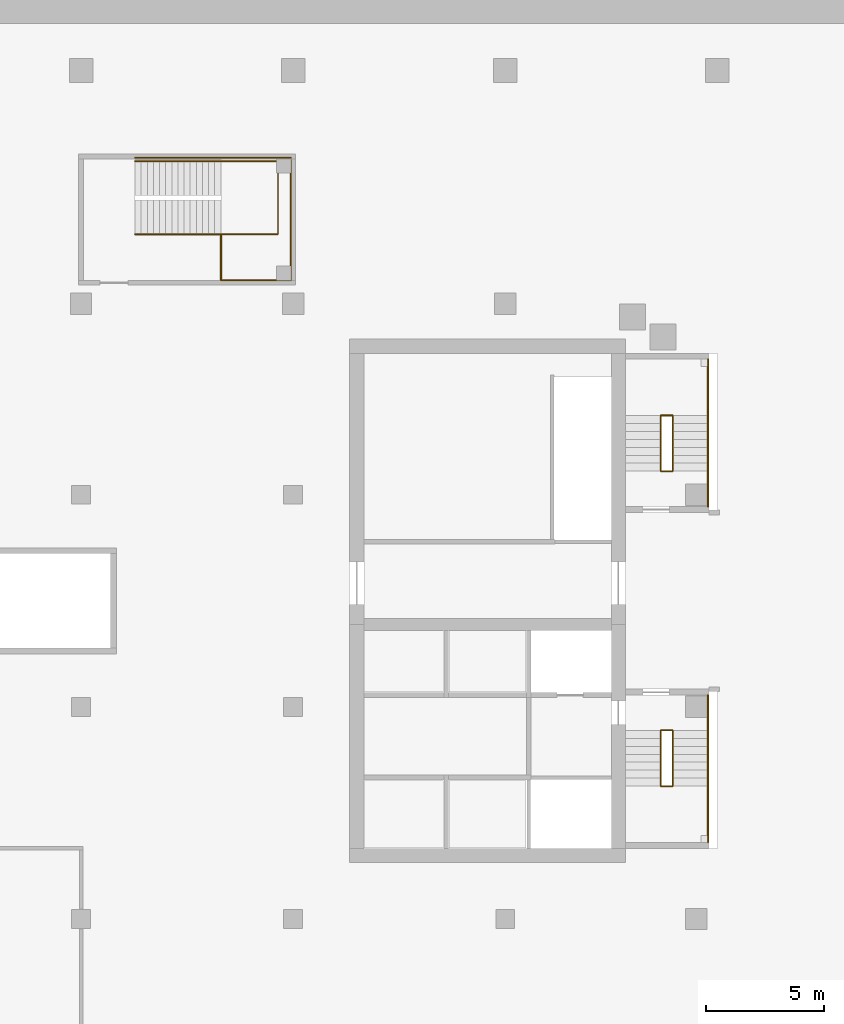
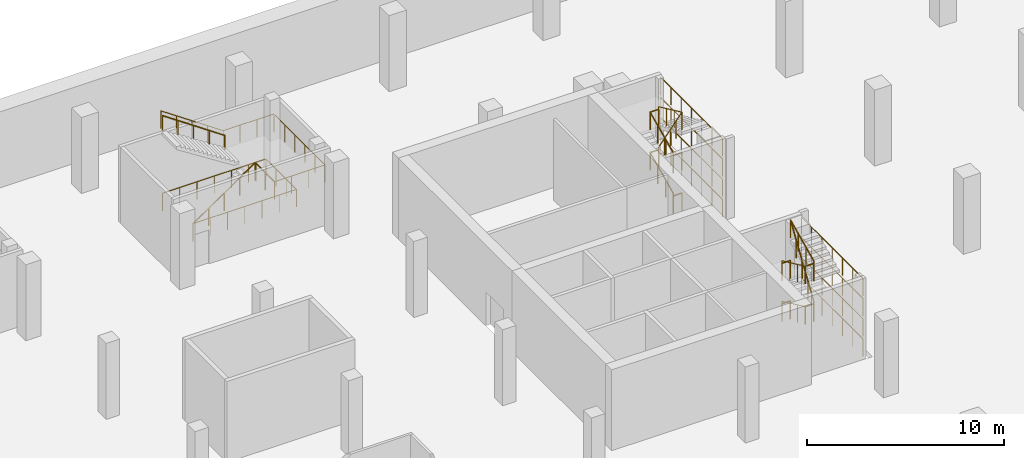
# One storey, part 15 of 19: 30 railings.
"""IFC4 building model written with IfcOpenShell, lengths in metres."""

from ifc_helpers import new_model, si_unit, direction, frame, origin, origin_2d, place, context, subcontext, project, spatial, circle, extrude, material, type_object, element, save


model = new_model("IFC4")

# Units and contexts
model_context = context("Model", 3, precision=1e-05, world=origin(), true_north=direction((0.0, 1.0)))
body_context = subcontext(model_context, "Body", "Model", "MODEL_VIEW")
ifc_project = project(units=[si_unit("LENGTHUNIT", "METRE"), si_unit("AREAUNIT", "SQUARE_METRE"), si_unit("VOLUMEUNIT", "CUBIC_METRE"), si_unit("PLANEANGLEUNIT", "RADIAN"), si_unit("MASSUNIT", "GRAM", prefix="KILO")], contexts=[model_context])

# Site, building, storey
site_placement = place(None, origin())
site = spatial("IfcSite", under=ifc_project, at=site_placement, CompositionType="ELEMENT")
building_placement = place(site_placement, origin())
building = spatial("IfcBuilding", under=site, at=building_placement, Name="Cinnabar Reach Civic Tower", CompositionType="ELEMENT")
storey_placement = place(building_placement, frame((0.0, 0.0, -5.0)))
storey = spatial("IfcBuildingStorey", under=building, at=storey_placement, Name="B1", CompositionType="ELEMENT", Elevation=-5.0)

# Railings
ifc_material_1 = material(Name="Stainless steel and glass", Category="steel")
railing_type_1 = type_object("IfcRailingType", Name="Podium guard 1100", PredefinedType="GUARDRAIL", material=ifc_material_1)
railing_1_placement = place(storey_placement, frame((-51.7, 47.05, 0.0)))
element("IfcRailing", 1, at=railing_1_placement, inside=storey, type_object=railing_type_1, Name="Stair guard PS7 B1", PredefinedType="GUARDRAIL", context=body_context, shape_type="SweptSolid", body=[
    extrude(circle(Radius=0.024, at=origin_2d()), frame((0.0, 0.0, 1.076), z_axis=(0.824306135323, 0.0, 0.566144323711), x_axis=(0.0, 1.0, 0.0)), (0.0, 0.0, 1.0), 4.4158),
    extrude(circle(Radius=0.021, at=origin_2d()), origin(), (0.0, 0.0, 1.0), 1.052),
    extrude(circle(Radius=0.021, at=origin_2d()), frame((0.91, 0.0, 0.625)), (0.0, 0.0, 1.0), 1.052),
    extrude(circle(Radius=0.021, at=origin_2d()), frame((1.82, 0.0, 1.25)), (0.0, 0.0, 1.0), 1.052),
    extrude(circle(Radius=0.021, at=origin_2d()), frame((2.73, 0.0, 1.875)), (0.0, 0.0, 1.0), 1.052),
    extrude(circle(Radius=0.021, at=origin_2d()), frame((3.64, 0.0, 2.5)), (0.0, 0.0, 1.0), 1.052),
])
railing_2_placement = place(storey_placement, frame((-48.06, 45.1, 2.5)))
element("IfcRailing", 2, at=railing_2_placement, inside=storey, type_object=railing_type_1, Name="Landing guard PS7 B1", PredefinedType="GUARDRAIL", context=body_context, shape_type="SweptSolid", body=[
    extrude(circle(Radius=0.024, at=origin_2d()), frame((0.0, 0.0, 1.076), z_axis=(1.0, 0.0, 0.0), x_axis=(0.0, 1.0, 0.0)), (0.0, 0.0, 1.0), 2.96),
    extrude(circle(Radius=0.024, at=origin_2d()), frame((2.96, 0.0, 1.076), z_axis=(0.0, 1.0, 0.0), x_axis=(-1.0, 0.0, 0.0)), (0.0, 0.0, 1.0), 5.1),
    extrude(circle(Radius=0.021, at=origin_2d()), origin(), (0.0, 0.0, 1.0), 1.052),
    extrude(circle(Radius=0.021, at=origin_2d()), frame((0.9867, 0.0, 0.0)), (0.0, 0.0, 1.0), 1.052),
    extrude(circle(Radius=0.021, at=origin_2d()), frame((1.9733, 0.0, 0.0)), (0.0, 0.0, 1.0), 1.052),
    extrude(circle(Radius=0.021, at=origin_2d()), frame((2.96, 0.0, 0.0)), (0.0, 0.0, 1.0), 1.052),
    extrude(circle(Radius=0.021, at=origin_2d()), frame((2.96, 1.02, 0.0)), (0.0, 0.0, 1.0), 1.052),
    extrude(circle(Radius=0.021, at=origin_2d()), frame((2.96, 2.04, 0.0)), (0.0, 0.0, 1.0), 1.052),
    extrude(circle(Radius=0.021, at=origin_2d()), frame((2.96, 3.06, 0.0)), (0.0, 0.0, 1.0), 1.052),
    extrude(circle(Radius=0.021, at=origin_2d()), frame((2.96, 4.08, 0.0)), (0.0, 0.0, 1.0), 1.052),
    extrude(circle(Radius=0.021, at=origin_2d()), frame((2.96, 5.1, 0.0)), (0.0, 0.0, 1.0), 1.052),
])
railing_3_placement = place(storey_placement, frame((-48.06, 45.1, 2.5)))
element("IfcRailing", 3, at=railing_3_placement, inside=storey, type_object=railing_type_1, Name="Landing guard PS7 B1 inner", PredefinedType="GUARDRAIL", context=body_context, shape_type="SweptSolid", body=[
    extrude(circle(Radius=0.024, at=origin_2d()), frame((0.0, 0.0, 1.076), z_axis=(0.0, 1.0, 0.0), x_axis=(-1.0, 0.0, 0.0)), (0.0, 0.0, 1.0), 1.9),
    extrude(circle(Radius=0.021, at=origin_2d()), origin(), (0.0, 0.0, 1.0), 1.052),
    extrude(circle(Radius=0.021, at=origin_2d()), frame((0.0, 0.95, 0.0)), (0.0, 0.0, 1.0), 1.052),
    extrude(circle(Radius=0.021, at=origin_2d()), frame((0.0, 1.9, 0.0)), (0.0, 0.0, 1.0), 1.052),
])
railing_4_placement = place(storey_placement, frame((-45.1, 50.3, 2.5)))
element("IfcRailing", 4, at=railing_4_placement, inside=storey, type_object=railing_type_1, Name="Stair wall side guard PS7 B1", PredefinedType="GUARDRAIL", context=body_context, shape_type="SweptSolid", body=[
    extrude(circle(Radius=0.024, at=origin_2d()), frame((0.0, 0.0, 1.076), z_axis=(-1.0, 0.0, 0.0), x_axis=(0.0, -1.0, 0.0)), (0.0, 0.0, 1.0), 2.96),
    extrude(circle(Radius=0.024, at=origin_2d()), frame((-2.96, 0.0, 1.076), z_axis=(-0.824306135323, 0.0, 0.566144323711), x_axis=(0.0, -1.0, 0.0)), (0.0, 0.0, 1.0), 4.4158),
    extrude(circle(Radius=0.021, at=origin_2d()), origin(), (0.0, 0.0, 1.0), 1.052),
    extrude(circle(Radius=0.021, at=origin_2d()), frame((-0.9867, 0.0, 0.0)), (0.0, 0.0, 1.0), 1.052),
    extrude(circle(Radius=0.021, at=origin_2d()), frame((-1.9733, 0.0, 0.0)), (0.0, 0.0, 1.0), 1.052),
    extrude(circle(Radius=0.021, at=origin_2d()), frame((-2.96, 0.0, 0.0)), (0.0, 0.0, 1.0), 1.052),
    extrude(circle(Radius=0.021, at=origin_2d()), frame((-3.87, 0.0, 0.625)), (0.0, 0.0, 1.0), 1.052),
    extrude(circle(Radius=0.021, at=origin_2d()), frame((-4.78, 0.0, 1.25)), (0.0, 0.0, 1.0), 1.052),
    extrude(circle(Radius=0.021, at=origin_2d()), frame((-5.69, 0.0, 1.875)), (0.0, 0.0, 1.0), 1.052),
    extrude(circle(Radius=0.021, at=origin_2d()), frame((-6.6, 0.0, 2.5)), (0.0, 0.0, 1.0), 1.052),
])
railing_5_placement = place(storey_placement, frame((-51.7, 47.05, 0.0)))
element("IfcRailing", 5, at=railing_5_placement, inside=storey, type_object=railing_type_1, Name="Stair well guard PS7 B1", PredefinedType="GUARDRAIL", context=body_context, shape_type="SweptSolid", body=[
    extrude(circle(Radius=0.024, at=origin_2d()), frame((0.0, 0.0, 1.076), z_axis=(1.0, 0.0, 0.0), x_axis=(0.0, 1.0, 0.0)), (0.0, 0.0, 1.0), 6.05),
    extrude(circle(Radius=0.024, at=origin_2d()), frame((6.05, 0.0, 1.076), z_axis=(0.0, 1.0, 0.0), x_axis=(-1.0, 0.0, 0.0)), (0.0, 0.0, 1.0), 3.1),
    extrude(circle(Radius=0.024, at=origin_2d()), frame((6.05, 3.1, 1.076), z_axis=(-1.0, 0.0, 0.0), x_axis=(0.0, -1.0, 0.0)), (0.0, 0.0, 1.0), 6.05),
    extrude(circle(Radius=0.021, at=origin_2d()), origin(), (0.0, 0.0, 1.0), 1.052),
    extrude(circle(Radius=0.021, at=origin_2d()), frame((1.0083, 0.0, 0.0)), (0.0, 0.0, 1.0), 1.052),
    extrude(circle(Radius=0.021, at=origin_2d()), frame((2.0167, 0.0, 0.0)), (0.0, 0.0, 1.0), 1.052),
    extrude(circle(Radius=0.021, at=origin_2d()), frame((3.025, 0.0, 0.0)), (0.0, 0.0, 1.0), 1.052),
    extrude(circle(Radius=0.021, at=origin_2d()), frame((4.0333, 0.0, 0.0)), (0.0, 0.0, 1.0), 1.052),
    extrude(circle(Radius=0.021, at=origin_2d()), frame((5.0417, 0.0, 0.0)), (0.0, 0.0, 1.0), 1.052),
    extrude(circle(Radius=0.021, at=origin_2d()), frame((6.05, 0.0, 0.0)), (0.0, 0.0, 1.0), 1.052),
    extrude(circle(Radius=0.021, at=origin_2d()), frame((6.05, 1.0333, 0.0)), (0.0, 0.0, 1.0), 1.052),
    extrude(circle(Radius=0.021, at=origin_2d()), frame((6.05, 2.0667, 0.0)), (0.0, 0.0, 1.0), 1.052),
    extrude(circle(Radius=0.021, at=origin_2d()), frame((6.05, 3.1, 0.0)), (0.0, 0.0, 1.0), 1.052),
    extrude(circle(Radius=0.021, at=origin_2d()), frame((5.0417, 3.1, 0.0)), (0.0, 0.0, 1.0), 1.052),
    extrude(circle(Radius=0.021, at=origin_2d()), frame((4.0333, 3.1, 0.0)), (0.0, 0.0, 1.0), 1.052),
    extrude(circle(Radius=0.021, at=origin_2d()), frame((3.025, 3.1, 0.0)), (0.0, 0.0, 1.0), 1.052),
    extrude(circle(Radius=0.021, at=origin_2d()), frame((2.0167, 3.1, 0.0)), (0.0, 0.0, 1.0), 1.052),
    extrude(circle(Radius=0.021, at=origin_2d()), frame((1.0083, 3.1, 0.0)), (0.0, 0.0, 1.0), 1.052),
    extrude(circle(Radius=0.021, at=origin_2d()), frame((0.0, 3.1, 0.0)), (0.0, 0.0, 1.0), 1.052),
])
ifc_material_2 = material(Name="Stainless steel", Category="steel")
railing_type_2 = type_object("IfcRailingType", Name="Podium stair handrail 900", PredefinedType="HANDRAIL", material=ifc_material_2)
railing_6_placement = place(storey_placement, frame((-48.06, 50.15, 2.5)))
element("IfcRailing", 6, at=railing_6_placement, inside=storey, type_object=railing_type_2, Name="Stair handrail PS7 B1", PredefinedType="HANDRAIL", context=body_context, shape_type="SweptSolid", body=[
    extrude(circle(Radius=0.024, at=origin_2d()), frame((0.0, 0.0, 0.876), z_axis=(-0.824306135323, 0.0, 0.566144323711), x_axis=(0.0, -1.0, 0.0)), (0.0, 0.0, 1.0), 4.4158),
    extrude(circle(Radius=0.021, at=origin_2d()), origin(), (0.0, 0.0, 1.0), 0.852),
    extrude(circle(Radius=0.021, at=origin_2d()), frame((-0.91, 0.0, 0.625)), (0.0, 0.0, 1.0), 0.852),
    extrude(circle(Radius=0.021, at=origin_2d()), frame((-1.82, 0.0, 1.25)), (0.0, 0.0, 1.0), 0.852),
    extrude(circle(Radius=0.021, at=origin_2d()), frame((-2.73, 0.0, 1.875)), (0.0, 0.0, 1.0), 0.852),
    extrude(circle(Radius=0.021, at=origin_2d()), frame((-3.64, 0.0, 2.5)), (0.0, 0.0, 1.0), 0.852),
])
railing_type_3 = type_object("IfcRailingType", Name="T2 Stair guard 1100", PredefinedType="GUARDRAIL", material=ifc_material_2)
for number, where, name in (
    (7, (-27.4, 21.25, 0.0), "Stair guard 1"),
    (8, (-27.4, 21.25, 1.25), "Stair guard 1"),
    (9, (-27.4, 21.25, 3.75), "Stair guard 1"),
    (10, (-27.4, 21.25, 2.5), "Stair guard 1"),
):
    element("IfcRailing", number, at=place(storey_placement, frame(where)), inside=storey, type_object=railing_type_3, Name=name, PredefinedType="GUARDRAIL", context=body_context, shape_type="SweptSolid", body=[
        extrude(circle(Radius=0.024, at=origin_2d()), frame((0.0, 0.0, 1.076), z_axis=(0.0, 1.0, 0.0), x_axis=(-1.0, 0.0, 0.0)), (0.0, 0.0, 1.0), 6.25),
        extrude(circle(Radius=0.021, at=origin_2d()), origin(), (0.0, 0.0, 1.0), 1.052),
        extrude(circle(Radius=0.021, at=origin_2d()), frame((0.0, 1.0417, 0.0)), (0.0, 0.0, 1.0), 1.052),
        extrude(circle(Radius=0.021, at=origin_2d()), frame((0.0, 2.0833, 0.0)), (0.0, 0.0, 1.0), 1.052),
        extrude(circle(Radius=0.021, at=origin_2d()), frame((0.0, 3.125, 0.0)), (0.0, 0.0, 1.0), 1.052),
        extrude(circle(Radius=0.021, at=origin_2d()), frame((0.0, 4.1667, 0.0)), (0.0, 0.0, 1.0), 1.052),
        extrude(circle(Radius=0.021, at=origin_2d()), frame((0.0, 5.2083, 0.0)), (0.0, 0.0, 1.0), 1.052),
        extrude(circle(Radius=0.021, at=origin_2d()), frame((0.0, 6.25, 0.0)), (0.0, 0.0, 1.0), 1.052),
    ])
for number, where, name in (
    (11, (-29.4, 26.0, 0.0), "Stair guard 1"),
    (12, (-29.4, 23.6375, 1.25), "Stair guard 1"),
):
    element("IfcRailing", number, at=place(storey_placement, frame(where)), inside=storey, type_object=railing_type_3, Name=name, PredefinedType="GUARDRAIL", context=body_context, shape_type="SweptSolid", body=[
        extrude(circle(Radius=0.024, at=origin_2d()), frame((0.0, 0.0, 1.076), z_axis=(1.0, 0.0, 0.0), x_axis=(0.0, 1.0, 0.0)), (0.0, 0.0, 1.0), 0.5),
        extrude(circle(Radius=0.021, at=origin_2d()), origin(), (0.0, 0.0, 1.0), 1.052),
        extrude(circle(Radius=0.021, at=origin_2d()), frame((0.5, 0.0, 0.0)), (0.0, 0.0, 1.0), 1.052),
    ])
railing_7_placement = place(storey_placement, frame((-29.4, 26.0, 0.1562)))
element("IfcRailing", 13, at=railing_7_placement, inside=storey, type_object=railing_type_3, Name="Stair guard 1", PredefinedType="GUARDRAIL", context=body_context, shape_type="SweptSolid", body=[
    extrude(circle(Radius=0.024, at=origin_2d()), frame((0.0, 0.0, 1.076), z_axis=(0.0, -0.907459584921, 0.420139383698), x_axis=(1.0, 0.0, 0.0)), (0.0, 0.0, 1.0), 2.6034),
    extrude(circle(Radius=0.021, at=origin_2d()), origin(), (0.0, 0.0, 1.0), 1.052),
    extrude(circle(Radius=0.021, at=origin_2d()), frame((0.0, -0.7875, 0.3646)), (0.0, 0.0, 1.0), 1.052),
    extrude(circle(Radius=0.021, at=origin_2d()), frame((0.0, -1.575, 0.7292)), (0.0, 0.0, 1.0), 1.052),
    extrude(circle(Radius=0.021, at=origin_2d()), frame((0.0, -2.3625, 1.0938)), (0.0, 0.0, 1.0), 1.052),
])
railing_8_placement = place(storey_placement, frame((-28.9, 23.6375, 1.4062)))
element("IfcRailing", 14, at=railing_8_placement, inside=storey, type_object=railing_type_3, Name="Stair guard 1", PredefinedType="GUARDRAIL", context=body_context, shape_type="SweptSolid", body=[
    extrude(circle(Radius=0.024, at=origin_2d()), frame((0.0, 0.0, 1.076), z_axis=(0.0, 0.549317534027, 0.835613694724), x_axis=(-1.0, 0.0, 0.0)), (0.0, 0.0, 1.0), 4.3008),
    extrude(circle(Radius=0.021, at=origin_2d()), origin(), (0.0, 0.0, 1.0), 1.052),
    extrude(circle(Radius=0.021, at=origin_2d()), frame((0.0, 0.5906, 0.8984)), (0.0, 0.0, 1.0), 1.052),
    extrude(circle(Radius=0.021, at=origin_2d()), frame((0.0, 1.1813, 1.7969)), (0.0, 0.0, 1.0), 1.052),
    extrude(circle(Radius=0.021, at=origin_2d()), frame((0.0, 1.7719, 2.6953)), (0.0, 0.0, 1.0), 1.052),
    extrude(circle(Radius=0.021, at=origin_2d()), frame((0.0, 2.3625, 3.5938)), (0.0, 0.0, 1.0), 1.052),
])
for number, where, name in (
    (15, (-29.4, 26.0, 2.5), "Stair guard 1"),
    (16, (-29.4, 23.6375, 3.75), "Stair guard 1"),
):
    element("IfcRailing", number, at=place(storey_placement, frame(where)), inside=storey, type_object=railing_type_3, Name=name, PredefinedType="GUARDRAIL", context=body_context, shape_type="SweptSolid", body=[
        extrude(circle(Radius=0.024, at=origin_2d()), frame((0.0, 0.0, 1.076), z_axis=(1.0, 0.0, 0.0), x_axis=(0.0, 1.0, 0.0)), (0.0, 0.0, 1.0), 0.5),
        extrude(circle(Radius=0.021, at=origin_2d()), origin(), (0.0, 0.0, 1.0), 1.052),
        extrude(circle(Radius=0.021, at=origin_2d()), frame((0.5, 0.0, 0.0)), (0.0, 0.0, 1.0), 1.052),
    ])
railing_9_placement = place(storey_placement, frame((-29.4, 26.0, 2.6562)))
element("IfcRailing", 17, at=railing_9_placement, inside=storey, type_object=railing_type_3, Name="Stair guard 1", PredefinedType="GUARDRAIL", context=body_context, shape_type="SweptSolid", body=[
    extrude(circle(Radius=0.024, at=origin_2d()), frame((0.0, 0.0, 1.076), z_axis=(0.0, -0.907459584921, 0.420139383698), x_axis=(1.0, 0.0, 0.0)), (0.0, 0.0, 1.0), 2.6034),
    extrude(circle(Radius=0.021, at=origin_2d()), origin(), (0.0, 0.0, 1.0), 1.052),
    extrude(circle(Radius=0.021, at=origin_2d()), frame((0.0, -0.7875, 0.3646)), (0.0, 0.0, 1.0), 1.052),
    extrude(circle(Radius=0.021, at=origin_2d()), frame((0.0, -1.575, 0.7292)), (0.0, 0.0, 1.0), 1.052),
    extrude(circle(Radius=0.021, at=origin_2d()), frame((0.0, -2.3625, 1.0938)), (0.0, 0.0, 1.0), 1.052),
])
railing_10_placement = place(storey_placement, frame((-28.9, 23.6375, 3.9062)))
element("IfcRailing", 18, at=railing_10_placement, inside=storey, type_object=railing_type_3, Name="Stair guard 1", PredefinedType="GUARDRAIL", context=body_context, shape_type="SweptSolid", body=[
    extrude(circle(Radius=0.024, at=origin_2d()), frame((0.0, 0.0, 1.076), z_axis=(0.0, 0.907459584921, 0.420139383698), x_axis=(-1.0, 0.0, 0.0)), (0.0, 0.0, 1.0), 2.6034),
    extrude(circle(Radius=0.021, at=origin_2d()), origin(), (0.0, 0.0, 1.0), 1.052),
    extrude(circle(Radius=0.021, at=origin_2d()), frame((0.0, 0.7875, 0.3646)), (0.0, 0.0, 1.0), 1.052),
    extrude(circle(Radius=0.021, at=origin_2d()), frame((0.0, 1.575, 0.7292)), (0.0, 0.0, 1.0), 1.052),
    extrude(circle(Radius=0.021, at=origin_2d()), frame((0.0, 2.3625, 1.0938)), (0.0, 0.0, 1.0), 1.052),
])
for number, where, name in (
    (19, (-27.4, 35.5, 0.0), "Stair guard 2"),
    (20, (-27.4, 35.5, 1.25), "Stair guard 2"),
    (21, (-27.4, 35.5, 3.75), "Stair guard 2"),
    (22, (-27.4, 35.5, 2.5), "Stair guard 2"),
):
    element("IfcRailing", number, at=place(storey_placement, frame(where)), inside=storey, type_object=railing_type_3, Name=name, PredefinedType="GUARDRAIL", context=body_context, shape_type="SweptSolid", body=[
        extrude(circle(Radius=0.024, at=origin_2d()), frame((0.0, 0.0, 1.076), z_axis=(0.0, 1.0, 0.0), x_axis=(-1.0, 0.0, 0.0)), (0.0, 0.0, 1.0), 6.25),
        extrude(circle(Radius=0.021, at=origin_2d()), origin(), (0.0, 0.0, 1.0), 1.052),
        extrude(circle(Radius=0.021, at=origin_2d()), frame((0.0, 1.0417, 0.0)), (0.0, 0.0, 1.0), 1.052),
        extrude(circle(Radius=0.021, at=origin_2d()), frame((0.0, 2.0833, 0.0)), (0.0, 0.0, 1.0), 1.052),
        extrude(circle(Radius=0.021, at=origin_2d()), frame((0.0, 3.125, 0.0)), (0.0, 0.0, 1.0), 1.052),
        extrude(circle(Radius=0.021, at=origin_2d()), frame((0.0, 4.1667, 0.0)), (0.0, 0.0, 1.0), 1.052),
        extrude(circle(Radius=0.021, at=origin_2d()), frame((0.0, 5.2083, 0.0)), (0.0, 0.0, 1.0), 1.052),
        extrude(circle(Radius=0.021, at=origin_2d()), frame((0.0, 6.25, 0.0)), (0.0, 0.0, 1.0), 1.052),
    ])
for number, where, name in (
    (23, (-29.4, 37.0, 0.0), "Stair guard 2"),
    (24, (-29.4, 39.3625, 1.25), "Stair guard 2"),
):
    element("IfcRailing", number, at=place(storey_placement, frame(where)), inside=storey, type_object=railing_type_3, Name=name, PredefinedType="GUARDRAIL", context=body_context, shape_type="SweptSolid", body=[
        extrude(circle(Radius=0.024, at=origin_2d()), frame((0.0, 0.0, 1.076), z_axis=(1.0, 0.0, 0.0), x_axis=(0.0, 1.0, 0.0)), (0.0, 0.0, 1.0), 0.5),
        extrude(circle(Radius=0.021, at=origin_2d()), origin(), (0.0, 0.0, 1.0), 1.052),
        extrude(circle(Radius=0.021, at=origin_2d()), frame((0.5, 0.0, 0.0)), (0.0, 0.0, 1.0), 1.052),
    ])
railing_11_placement = place(storey_placement, frame((-29.4, 37.0, 0.1562)))
element("IfcRailing", 25, at=railing_11_placement, inside=storey, type_object=railing_type_3, Name="Stair guard 2", PredefinedType="GUARDRAIL", context=body_context, shape_type="SweptSolid", body=[
    extrude(circle(Radius=0.024, at=origin_2d()), frame((0.0, 0.0, 1.076), z_axis=(0.0, 0.907459584921, 0.420139383698), x_axis=(-1.0, 0.0, 0.0)), (0.0, 0.0, 1.0), 2.6034),
    extrude(circle(Radius=0.021, at=origin_2d()), origin(), (0.0, 0.0, 1.0), 1.052),
    extrude(circle(Radius=0.021, at=origin_2d()), frame((0.0, 0.7875, 0.3646)), (0.0, 0.0, 1.0), 1.052),
    extrude(circle(Radius=0.021, at=origin_2d()), frame((0.0, 1.575, 0.7292)), (0.0, 0.0, 1.0), 1.052),
    extrude(circle(Radius=0.021, at=origin_2d()), frame((0.0, 2.3625, 1.0938)), (0.0, 0.0, 1.0), 1.052),
])
railing_12_placement = place(storey_placement, frame((-28.9, 39.3625, 1.4062)))
element("IfcRailing", 26, at=railing_12_placement, inside=storey, type_object=railing_type_3, Name="Stair guard 2", PredefinedType="GUARDRAIL", context=body_context, shape_type="SweptSolid", body=[
    extrude(circle(Radius=0.024, at=origin_2d()), frame((0.0, 0.0, 1.076), z_axis=(0.0, -0.549317534027, 0.835613694724), x_axis=(1.0, 0.0, 0.0)), (0.0, 0.0, 1.0), 4.3008),
    extrude(circle(Radius=0.021, at=origin_2d()), origin(), (0.0, 0.0, 1.0), 1.052),
    extrude(circle(Radius=0.021, at=origin_2d()), frame((0.0, -0.5906, 0.8984)), (0.0, 0.0, 1.0), 1.052),
    extrude(circle(Radius=0.021, at=origin_2d()), frame((0.0, -1.1812, 1.7969)), (0.0, 0.0, 1.0), 1.052),
    extrude(circle(Radius=0.021, at=origin_2d()), frame((0.0, -1.7719, 2.6953)), (0.0, 0.0, 1.0), 1.052),
    extrude(circle(Radius=0.021, at=origin_2d()), frame((0.0, -2.3625, 3.5938)), (0.0, 0.0, 1.0), 1.052),
])
for number, where, name in (
    (27, (-29.4, 37.0, 2.5), "Stair guard 2"),
    (28, (-29.4, 39.3625, 3.75), "Stair guard 2"),
):
    element("IfcRailing", number, at=place(storey_placement, frame(where)), inside=storey, type_object=railing_type_3, Name=name, PredefinedType="GUARDRAIL", context=body_context, shape_type="SweptSolid", body=[
        extrude(circle(Radius=0.024, at=origin_2d()), frame((0.0, 0.0, 1.076), z_axis=(1.0, 0.0, 0.0), x_axis=(0.0, 1.0, 0.0)), (0.0, 0.0, 1.0), 0.5),
        extrude(circle(Radius=0.021, at=origin_2d()), origin(), (0.0, 0.0, 1.0), 1.052),
        extrude(circle(Radius=0.021, at=origin_2d()), frame((0.5, 0.0, 0.0)), (0.0, 0.0, 1.0), 1.052),
    ])
railing_13_placement = place(storey_placement, frame((-29.4, 37.0, 2.6562)))
element("IfcRailing", 29, at=railing_13_placement, inside=storey, type_object=railing_type_3, Name="Stair guard 2", PredefinedType="GUARDRAIL", context=body_context, shape_type="SweptSolid", body=[
    extrude(circle(Radius=0.024, at=origin_2d()), frame((0.0, 0.0, 1.076), z_axis=(0.0, 0.907459584921, 0.420139383698), x_axis=(-1.0, 0.0, 0.0)), (0.0, 0.0, 1.0), 2.6034),
    extrude(circle(Radius=0.021, at=origin_2d()), origin(), (0.0, 0.0, 1.0), 1.052),
    extrude(circle(Radius=0.021, at=origin_2d()), frame((0.0, 0.7875, 0.3646)), (0.0, 0.0, 1.0), 1.052),
    extrude(circle(Radius=0.021, at=origin_2d()), frame((0.0, 1.575, 0.7292)), (0.0, 0.0, 1.0), 1.052),
    extrude(circle(Radius=0.021, at=origin_2d()), frame((0.0, 2.3625, 1.0938)), (0.0, 0.0, 1.0), 1.052),
])
railing_14_placement = place(storey_placement, frame((-28.9, 39.3625, 3.9062)))
element("IfcRailing", 30, at=railing_14_placement, inside=storey, type_object=railing_type_3, Name="Stair guard 2", PredefinedType="GUARDRAIL", context=body_context, shape_type="SweptSolid", body=[
    extrude(circle(Radius=0.024, at=origin_2d()), frame((0.0, 0.0, 1.076), z_axis=(0.0, -0.907459584921, 0.420139383698), x_axis=(1.0, 0.0, 0.0)), (0.0, 0.0, 1.0), 2.6034),
    extrude(circle(Radius=0.021, at=origin_2d()), origin(), (0.0, 0.0, 1.0), 1.052),
    extrude(circle(Radius=0.021, at=origin_2d()), frame((0.0, -0.7875, 0.3646)), (0.0, 0.0, 1.0), 1.052),
    extrude(circle(Radius=0.021, at=origin_2d()), frame((0.0, -1.575, 0.7292)), (0.0, 0.0, 1.0), 1.052),
    extrude(circle(Radius=0.021, at=origin_2d()), frame((0.0, -2.3625, 1.0938)), (0.0, 0.0, 1.0), 1.052),
])

save(model, "model.ifc")
